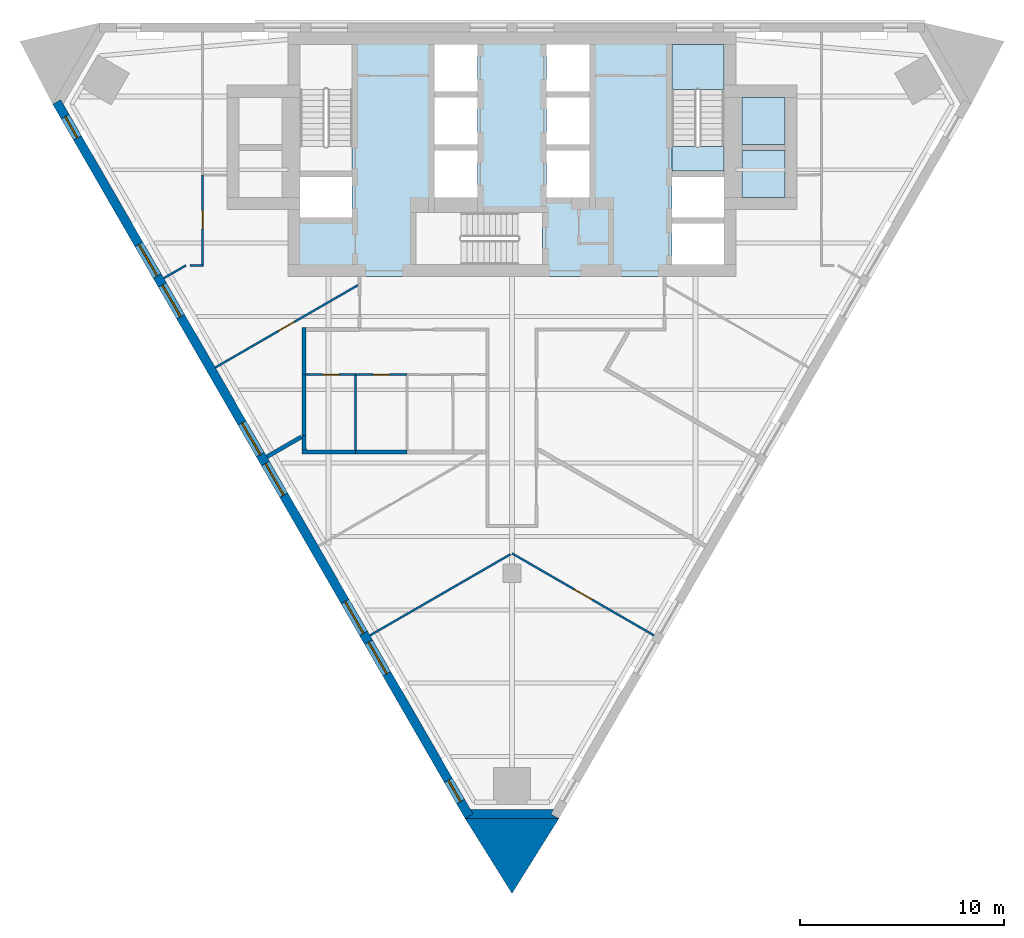
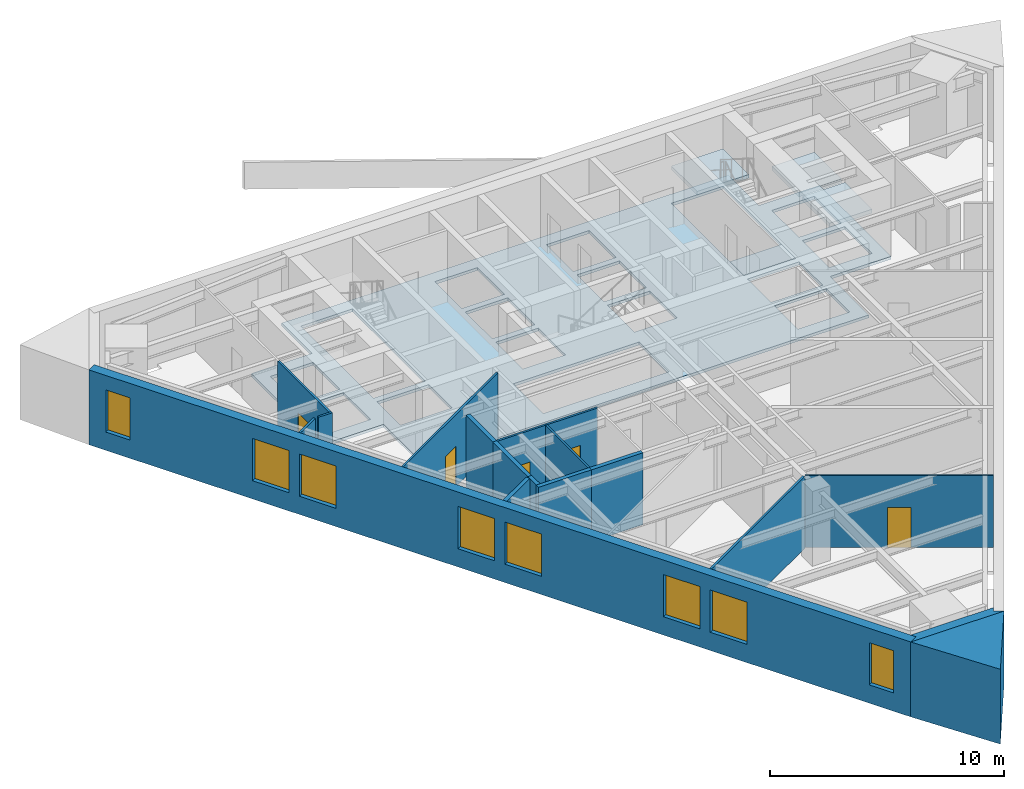
# One storey, part 2 of 7: 18 walls, 8 windows, 5 doors, 5 slabs, 13 openings, 1 element without a shape of its own.
"""IFC4 building model written with IfcOpenShell, lengths in metres."""

from ifc_helpers import new_model, si_unit, direction, frame, frame_2d, origin, place, context, subcontext, project, spatial, polyline, rectangle, outline, extrude, material, layer, layer_set, type_object, element, fill, aggregate, save


model = new_model("IFC4")

# Units and contexts
model_context = context("Model", 3, precision=1e-05, world=origin(), true_north=direction((0.0, 1.0)))
body_context = subcontext(model_context, "Body", "Model", "MODEL_VIEW")
ifc_project = project(units=[si_unit("LENGTHUNIT", "METRE"), si_unit("AREAUNIT", "SQUARE_METRE"), si_unit("VOLUMEUNIT", "CUBIC_METRE"), si_unit("PLANEANGLEUNIT", "RADIAN"), si_unit("MASSUNIT", "GRAM", prefix="KILO")], contexts=[model_context])

# Site, building, storey
site_placement = place(None, origin())
site = spatial("IfcSite", under=ifc_project, at=site_placement, CompositionType="ELEMENT")
building_placement = place(site_placement, origin())
building = spatial("IfcBuilding", under=site, at=building_placement, Name="Aloe Facet Convention Tower", CompositionType="ELEMENT")
storey_placement = place(building_placement, frame((0.0, 0.0, 132.5)))
storey = spatial("IfcBuildingStorey", under=building, at=storey_placement, Name="L33", CompositionType="ELEMENT", Elevation=132.5)

# Slabs
ifc_material_1 = material(Name="Concrete C60/75", Category="concrete")
ifc_layer_1 = layer(ifc_material_1, 0.14990234375)
ifc_layer_set_1 = layer_set([ifc_layer_1], Name="CR-S-FLOOR150-C6075")
slab_type_1 = type_object("IfcSlabType", Name="CR-S-FLOOR150-C6075", PredefinedType="FLOOR", material=ifc_layer_set_1)
slab_1_placement = place(storey_placement, frame((0.0, 0.0, -0.14990234375)))
element("IfcSlab", 1, at=slab_1_placement, inside=storey, type_object=slab_type_1, Name="Core floor L33", PredefinedType="FLOOR", context=body_context, shape_type="SweptSolid", body=[
    extrude(outline(polyline([(69.0, 134.550048828125), (71.85009765625, 134.550048828125), (72.75, 134.550048828125), (75.60009765625, 134.550048828125), (76.5, 134.550048828125), (78.0, 134.550048828125), (78.89990234375, 134.550048828125), (81.10009765625, 134.550048828125), (82.0, 134.550048828125), (83.5, 134.550048828125), (84.39990234375, 134.550048828125), (87.25, 134.550048828125), (88.14990234375, 134.550048828125), (91.0, 134.550048828125), (91.0, 131.949951171875), (94.0, 131.949951171875), (94.0, 129.35009765625), (94.0, 128.449951171875), (94.0, 125.85009765625), (91.0, 125.85009765625), (91.0, 125.75), (91.0, 124.85009765625), (91.0, 122.550048828125), (88.14990234375, 122.550048828125), (87.25, 122.550048828125), (85.300048828125, 122.550048828125), (84.39990234375, 122.550048828125), (82.10009765625, 122.550048828125), (81.199951171875, 122.550048828125), (75.60009765625, 122.550048828125), (74.699951171875, 122.550048828125), (72.75, 122.550048828125), (71.85009765625, 122.550048828125), (69.0, 122.550048828125), (69.0, 124.85009765625), (69.0, 125.75), (69.0, 125.85009765625), (66.0, 125.85009765625), (66.0, 128.449951171875), (66.0, 129.35009765625), (66.0, 131.949951171875), (69.0, 131.949951171875), (69.0, 134.550048828125)]), holes=[polyline([(75.300048828125, 123.14990234375), (80.298828125, 123.14990234375), (81.5, 123.14990234375), (81.5, 125.699951171875), (80.298828125, 125.699951171875), (75.300048828125, 125.699951171875), (75.300048828125, 123.14990234375)]), polyline([(69.60009765625, 125.449951171875), (72.14990234375, 125.449951171875), (72.14990234375, 127.449951171875), (69.60009765625, 127.449951171875), (69.60009765625, 125.449951171875)]), polyline([(66.60009765625, 126.449951171875), (68.699951171875, 126.449951171875), (68.699951171875, 128.75), (66.60009765625, 128.75), (66.60009765625, 126.449951171875)]), polyline([(76.199951171875, 126.449951171875), (78.300048828125, 126.449951171875), (78.300048828125, 128.75), (76.199951171875, 128.75), (76.199951171875, 126.449951171875)]), polyline([(66.60009765625, 129.050048828125), (68.699951171875, 129.050048828125), (68.699951171875, 131.35009765625), (66.60009765625, 131.35009765625), (66.60009765625, 129.050048828125)]), polyline([(76.199951171875, 129.050048828125), (78.300048828125, 129.050048828125), (78.300048828125, 131.35009765625), (76.199951171875, 131.35009765625), (76.199951171875, 129.050048828125)]), polyline([(69.60009765625, 133.949951171875), (69.60009765625, 128.951171875), (69.60009765625, 127.75), (72.14990234375, 127.75), (72.14990234375, 128.951171875), (72.14990234375, 133.949951171875), (69.60009765625, 133.949951171875)]), polyline([(76.199951171875, 131.64990234375), (78.300048828125, 131.64990234375), (78.300048828125, 133.949951171875), (76.199951171875, 133.949951171875), (76.199951171875, 131.64990234375)]), polyline([(87.85009765625, 123.14990234375), (90.39990234375, 123.14990234375), (90.39990234375, 125.14990234375), (87.85009765625, 125.14990234375), (87.85009765625, 123.14990234375)]), polyline([(87.85009765625, 125.449951171875), (90.39990234375, 125.449951171875), (90.39990234375, 127.449951171875), (87.85009765625, 127.449951171875), (87.85009765625, 125.449951171875)]), polyline([(81.699951171875, 126.449951171875), (83.800048828125, 126.449951171875), (83.800048828125, 128.75), (81.699951171875, 128.75), (81.699951171875, 126.449951171875)]), polyline([(91.300048828125, 126.449951171875), (93.39990234375, 126.449951171875), (93.39990234375, 128.75), (91.300048828125, 128.75), (91.300048828125, 126.449951171875)]), polyline([(81.699951171875, 129.050048828125), (83.800048828125, 129.050048828125), (83.800048828125, 131.35009765625), (81.699951171875, 131.35009765625), (81.699951171875, 129.050048828125)]), polyline([(91.300048828125, 129.050048828125), (93.39990234375, 129.050048828125), (93.39990234375, 131.35009765625), (91.300048828125, 131.35009765625), (91.300048828125, 129.050048828125)]), polyline([(87.85009765625, 133.949951171875), (87.85009765625, 128.951171875), (87.85009765625, 127.75), (90.39990234375, 127.75), (90.39990234375, 128.951171875), (90.39990234375, 133.949951171875), (87.85009765625, 133.949951171875)]), polyline([(81.699951171875, 131.64990234375), (83.800048828125, 131.64990234375), (83.800048828125, 133.949951171875), (81.699951171875, 133.949951171875), (81.699951171875, 131.64990234375)])]), origin(), (0.0, 0.0, 1.0), 0.14990234375),
])
ifc_material_2 = material(Name="Concrete C60/75", Category="concrete")
ifc_layer_2 = layer(ifc_material_2, 0.300048828125)
ifc_layer_set_2 = layer_set([ifc_layer_2], Name="CR-S-FLOOR300-C6075")
slab_type_2 = type_object("IfcSlabType", Name="CR-S-FLOOR300-C6075", PredefinedType="FLOOR", material=ifc_layer_set_2)
slab_2_placement = place(storey_placement, frame((0.0, 0.0, -0.300048828125)))
element("IfcSlab", 2, at=slab_2_placement, inside=storey, type_object=slab_type_2, Name="Stair landing floor L33", PredefinedType="FLOOR", context=body_context, shape_type="SweptSolid", body=[
    extrude(outline(polyline([(90.39990234375, 127.75), (90.39990234375, 128.951171875), (87.85009765625, 128.951171875), (87.85009765625, 127.75), (90.39990234375, 127.75)])), origin(), (0.0, 0.0, 1.0), 0.300048828125),
])
ifc_material_3 = material(Name="Concrete C60/75", Category="concrete")
ifc_layer_3 = layer(ifc_material_3, 0.199951171875)
ifc_layer_set_3 = layer_set([ifc_layer_3], Name="CR-S-LID200-C6075")
slab_type_3 = type_object("IfcSlabType", Name="CR-S-LID200-C6075", PredefinedType="ROOF", material=ifc_layer_set_3)
slab_3_placement = place(storey_placement, frame((0.0, 0.0, 2.10009765625)))
element("IfcSlab", 3, at=slab_3_placement, inside=storey, type_object=slab_type_3, Name="Lift shaft lid SH3", PredefinedType="ROOF", context=body_context, shape_type="SweptSolid", body=[
    extrude(outline(polyline([(93.401123046875, 131.351318359375), (93.401123046875, 129.048828125), (91.298828125, 129.048828125), (91.298828125, 131.351318359375), (93.401123046875, 131.351318359375)])), origin(), (0.0, 0.0, 1.0), 0.199951171875),
])
slab_4_placement = place(storey_placement, frame((0.0, 0.0, 2.10009765625)))
element("IfcSlab", 4, at=slab_4_placement, inside=storey, type_object=slab_type_3, Name="Lift shaft lid SH4", PredefinedType="ROOF", context=body_context, shape_type="SweptSolid", body=[
    extrude(outline(polyline([(93.401123046875, 128.751220703125), (93.401123046875, 126.44873046875), (91.298828125, 126.44873046875), (91.298828125, 128.751220703125), (93.401123046875, 128.751220703125)])), origin(), (0.0, 0.0, 1.0), 0.199951171875),
])

# Stair, slab
ifc_material_4 = material(Name="Concrete C50/60", Category="concrete")
stair_type = type_object("IfcStairType", Name="CR-ST-22R", PredefinedType="HALF_TURN_STAIR", material=ifc_material_4)
stair_placement = place(storey_placement, origin())
stair = element("IfcStair", 5, at=stair_placement, inside=storey, type_object=stair_type, Name="L33 Protected exit stair ST2", PredefinedType="HALF_TURN_STAIR")
ifc_material_5 = material(Name="Concrete C50/60", Category="concrete")
ifc_layer_4 = layer(ifc_material_5, 0.199951171875)
ifc_layer_set_4 = layer_set([ifc_layer_4], Name="CR-SL-LANDING")
slab_type_4 = type_object("IfcSlabType", Name="CR-SL-LANDING", PredefinedType="LANDING", material=ifc_layer_set_4)
slab_5_placement = place(storey_placement, frame((0.0, 0.0, 1.75)))
slab_5 = element("IfcSlab", 6, at=slab_5_placement, type_object=slab_type_4, Name="ST2 landing 1", PredefinedType="LANDING", context=body_context, shape_type="SweptSolid", body=[
    extrude(outline(polyline([(90.39990234375, 131.75), (90.39990234375, 133.949951171875), (87.85009765625, 133.949951171875), (87.85009765625, 131.75), (90.39990234375, 131.75)])), origin(), (0.0, 0.0, 1.0), 0.199951171875),
])
aggregate(stair, [slab_5])

# Walls
ifc_material_6 = material(Name="Precast concrete C40/50", Category="concrete")
ifc_layer_5 = layer(ifc_material_6, 0.449951171875)
ifc_layer_set_5 = layer_set([ifc_layer_5], Name="EV-WALL-PIER")
wall_type_1 = type_object("IfcWallType", Name="EV-WALL-PIER", PredefinedType="SOLIDWALL", material=ifc_layer_set_5)
wall_1_placement = place(storey_placement, frame((0.0, 0.0, -0.14990234375)))
element("IfcWall", 7, at=wall_1_placement, inside=storey, type_object=wall_type_1, Name="EP-L33-B", PredefinedType="SOLIDWALL", context=body_context, shape_type="SweptSolid", body=[
    extrude(outline(polyline([(77.699951171875, 95.954345703125), (78.089599609375, 96.17919921875), (77.959716796875, 96.404296875), (82.040283203125, 96.404296875), (81.910400390625, 96.17919921875), (82.300048828125, 95.954345703125), (77.699951171875, 95.954345703125)])), origin(), (0.0, 0.0, 1.0), 3.89990234375),
])
ifc_material_7 = material(Name="Precast concrete C40/50", Category="concrete")
ifc_layer_6 = layer(ifc_material_7, 3.947998046875)
ifc_layer_set_6 = layer_set([ifc_layer_6], Name="EV-WALL-SPINE")
wall_type_2 = type_object("IfcWallType", Name="EV-WALL-SPINE", PredefinedType="SOLIDWALL", material=ifc_layer_set_6)
wall_2_placement = place(storey_placement, frame((0.0, 0.0, -0.14990234375)))
element("IfcWall", 8, at=wall_2_placement, inside=storey, type_object=wall_type_2, Name="SP-S-L33", PredefinedType="SOLIDWALL", context=body_context, shape_type="SweptSolid", body=[
    extrude(outline(polyline([(77.699951171875, 95.954345703125), (80.0, 92.2783203125), (82.300048828125, 95.954345703125), (77.699951171875, 95.954345703125)])), origin(), (0.0, 0.0, 1.0), 3.89990234375),
])

# Wall, openings, windows
ifc_material_8 = material(Name="Precast concrete C40/50", Category="concrete")
ifc_layer_7 = layer(ifc_material_8, 0.449951171875)
ifc_layer_set_7 = layer_set([ifc_layer_7], Name="EV-WALL-STONE")
wall_type_3 = type_object("IfcWallType", Name="EV-WALL-STONE", PredefinedType="SOLIDWALL", material=ifc_layer_set_7)
wall_3_placement = place(storey_placement, frame((57.65185546875, 131.128662109375, -0.14990234375), z_axis=(0.0, 0.0, 1.0), x_axis=(0.499997369791, -0.866026922331, 0.0)))
wall_3 = element("IfcWall", 9, at=wall_3_placement, inside=storey, type_object=wall_type_3, Name="EW-L33-W01", PredefinedType="SOLIDWALL", context=body_context, shape_type="SweptSolid", body=[
    extrude(outline(polyline([(40.486083984375, 0.0), (40.486083984375, 3.89990234375), (0.0, 3.89990234375), (0.0, 0.0), (40.486083984375, 0.0)])), frame((0.0, 0.22509765625, 0.0), z_axis=(0.0, -1.0, 0.0), x_axis=(1.0, 0.0, 0.0)), (0.0, 0.0, 1.0), 0.449951171875),
])
opening_1_placement = place(wall_3_placement, frame((0.83740234375, 0.0, 0.949951171875)))
opening_1 = element("IfcOpeningElement", 10, at=opening_1_placement, cuts=wall_3, Name="Opening W-L33-W01", PredefinedType="OPENING", context=body_context, shape_type="SweptSolid", body=[
    extrude(rectangle(XDim=1.199951171875, YDim=2.199951171875, at=frame_2d((0.60009765625, 1.10009765625))), frame((0.0, 0.23486328125, 0.0), z_axis=(0.0, -1.0, 0.0), x_axis=(1.0, 0.0, 0.0)), (0.0, 0.0, 1.0), 0.469970703125),
])
opening_2_placement = place(wall_3_placement, frame((8.071533203125, 0.0, 0.949951171875)))
opening_2 = element("IfcOpeningElement", 11, at=opening_2_placement, cuts=wall_3, Name="Opening W-L33-W02", PredefinedType="OPENING", context=body_context, shape_type="SweptSolid", body=[
    extrude(rectangle(XDim=1.800048828125, YDim=2.199951171875, at=frame_2d((0.89990234375, 1.10009765625))), frame((0.0, 0.23486328125, 0.0), z_axis=(0.0, -1.0, 0.0), x_axis=(1.0, 0.0, 0.0)), (0.0, 0.0, 1.0), 0.469970703125),
])
opening_3_placement = place(wall_3_placement, frame((10.37158203125, 0.0, 0.949951171875)))
opening_3 = element("IfcOpeningElement", 12, at=opening_3_placement, cuts=wall_3, Name="Opening W-L33-W03", PredefinedType="OPENING", context=body_context, shape_type="SweptSolid", body=[
    extrude(rectangle(XDim=1.800048828125, YDim=2.199951171875, at=frame_2d((0.89990234375, 1.10009765625))), frame((0.0, 0.23486328125, 0.0), z_axis=(0.0, -1.0, 0.0), x_axis=(1.0, 0.0, 0.0)), (0.0, 0.0, 1.0), 0.469970703125),
])
opening_4_placement = place(wall_3_placement, frame((18.193115234375, 0.0, 0.949951171875)))
opening_4 = element("IfcOpeningElement", 13, at=opening_4_placement, cuts=wall_3, Name="Opening W-L33-W04", PredefinedType="OPENING", context=body_context, shape_type="SweptSolid", body=[
    extrude(rectangle(XDim=1.800048828125, YDim=2.199951171875, at=frame_2d((0.89990234375, 1.10009765625))), frame((0.0, 0.23486328125, 0.0), z_axis=(0.0, -1.0, 0.0), x_axis=(1.0, 0.0, 0.0)), (0.0, 0.0, 1.0), 0.469970703125),
])
opening_5_placement = place(wall_3_placement, frame((20.4931640625, 0.0, 0.949951171875)))
opening_5 = element("IfcOpeningElement", 14, at=opening_5_placement, cuts=wall_3, Name="Opening W-L33-W05", PredefinedType="OPENING", context=body_context, shape_type="SweptSolid", body=[
    extrude(rectangle(XDim=1.800048828125, YDim=2.199951171875, at=frame_2d((0.89990234375, 1.10009765625))), frame((0.0, 0.23486328125, 0.0), z_axis=(0.0, -1.0, 0.0), x_axis=(1.0, 0.0, 0.0)), (0.0, 0.0, 1.0), 0.469970703125),
])
opening_6_placement = place(wall_3_placement, frame((28.314697265625, 0.0, 0.949951171875)))
opening_6 = element("IfcOpeningElement", 15, at=opening_6_placement, cuts=wall_3, Name="Opening W-L33-W06", PredefinedType="OPENING", context=body_context, shape_type="SweptSolid", body=[
    extrude(rectangle(XDim=1.800048828125, YDim=2.199951171875, at=frame_2d((0.89990234375, 1.10009765625))), frame((0.0, 0.23486328125, 0.0), z_axis=(0.0, -1.0, 0.0), x_axis=(1.0, 0.0, 0.0)), (0.0, 0.0, 1.0), 0.469970703125),
])
opening_7_placement = place(wall_3_placement, frame((30.614501953125, 0.0, 0.949951171875)))
opening_7 = element("IfcOpeningElement", 16, at=opening_7_placement, cuts=wall_3, Name="Opening W-L33-W07", PredefinedType="OPENING", context=body_context, shape_type="SweptSolid", body=[
    extrude(rectangle(XDim=1.800048828125, YDim=2.199951171875, at=frame_2d((0.89990234375, 1.10009765625))), frame((0.0, 0.23486328125, 0.0), z_axis=(0.0, -1.0, 0.0), x_axis=(1.0, 0.0, 0.0)), (0.0, 0.0, 1.0), 0.469970703125),
])
opening_8_placement = place(wall_3_placement, frame((38.44873046875, 0.0, 0.949951171875)))
opening_8 = element("IfcOpeningElement", 17, at=opening_8_placement, cuts=wall_3, Name="Opening W-L33-W08", PredefinedType="OPENING", context=body_context, shape_type="SweptSolid", body=[
    extrude(rectangle(XDim=1.199951171875, YDim=2.199951171875, at=frame_2d((0.60009765625, 1.10009765625))), frame((0.0, 0.23486328125, 0.0), z_axis=(0.0, -1.0, 0.0), x_axis=(1.0, 0.0, 0.0)), (0.0, 0.0, 1.0), 0.469970703125),
])
ifc_material_9 = material(Name="Aluminium frame, clear double glazing", Category="aluminium")
window_type_1 = type_object("IfcWindowType", Name="EV-WIN-O12", PartitioningType="SINGLE_PANEL", PredefinedType="WINDOW", material=ifc_material_9)
window_1_placement = place(opening_1_placement, origin())
window_1 = element("IfcWindow", 18, at=window_1_placement, inside=storey, type_object=window_type_1, Name="W-L33-W01", OverallHeight=2.199951171875, OverallWidth=1.199951171875, PartitioningType="SINGLE_PANEL", PredefinedType="WINDOW", context=body_context, shape_type="SweptSolid", body=[
    extrude(rectangle(XDim=1.199951171875, YDim=2.199951171875, at=frame_2d((0.60009765625, 1.10009765625))), frame((0.0, 0.030029296875, 0.0), z_axis=(0.0, -1.0, 0.0), x_axis=(1.0, 0.0, 0.0)), (0.0, 0.0, 1.0), 0.06005859375),
])
fill(opening_1, window_1)
window_2_placement = place(opening_8_placement, origin())
window_2 = element("IfcWindow", 19, at=window_2_placement, inside=storey, type_object=window_type_1, Name="W-L33-W08", OverallHeight=2.199951171875, OverallWidth=1.199951171875, PartitioningType="SINGLE_PANEL", PredefinedType="WINDOW", context=body_context, shape_type="SweptSolid", body=[
    extrude(rectangle(XDim=1.199951171875, YDim=2.199951171875, at=frame_2d((0.60009765625, 1.10009765625))), frame((0.0, 0.030029296875, 0.0), z_axis=(0.0, -1.0, 0.0), x_axis=(1.0, 0.0, 0.0)), (0.0, 0.0, 1.0), 0.06005859375),
])
fill(opening_8, window_2)
ifc_material_10 = material(Name="Aluminium frame, clear double glazing", Category="aluminium")
window_type_2 = type_object("IfcWindowType", Name="EV-WIN-O18", PartitioningType="SINGLE_PANEL", PredefinedType="WINDOW", material=ifc_material_10)
window_3_placement = place(opening_2_placement, origin())
window_3 = element("IfcWindow", 20, at=window_3_placement, inside=storey, type_object=window_type_2, Name="W-L33-W02", OverallHeight=2.199951171875, OverallWidth=1.800048828125, PartitioningType="SINGLE_PANEL", PredefinedType="WINDOW", context=body_context, shape_type="SweptSolid", body=[
    extrude(rectangle(XDim=1.800048828125, YDim=2.199951171875, at=frame_2d((0.89990234375, 1.10009765625))), frame((0.0, 0.030029296875, 0.0), z_axis=(0.0, -1.0, 0.0), x_axis=(1.0, 0.0, 0.0)), (0.0, 0.0, 1.0), 0.06005859375),
])
fill(opening_2, window_3)
window_4_placement = place(opening_3_placement, origin())
window_4 = element("IfcWindow", 21, at=window_4_placement, inside=storey, type_object=window_type_2, Name="W-L33-W03", OverallHeight=2.199951171875, OverallWidth=1.800048828125, PartitioningType="SINGLE_PANEL", PredefinedType="WINDOW", context=body_context, shape_type="SweptSolid", body=[
    extrude(rectangle(XDim=1.800048828125, YDim=2.199951171875, at=frame_2d((0.89990234375, 1.10009765625))), frame((0.0, 0.030029296875, 0.0), z_axis=(0.0, -1.0, 0.0), x_axis=(1.0, 0.0, 0.0)), (0.0, 0.0, 1.0), 0.06005859375),
])
fill(opening_3, window_4)
window_5_placement = place(opening_4_placement, origin())
window_5 = element("IfcWindow", 22, at=window_5_placement, inside=storey, type_object=window_type_2, Name="W-L33-W04", OverallHeight=2.199951171875, OverallWidth=1.800048828125, PartitioningType="SINGLE_PANEL", PredefinedType="WINDOW", context=body_context, shape_type="SweptSolid", body=[
    extrude(rectangle(XDim=1.800048828125, YDim=2.199951171875, at=frame_2d((0.89990234375, 1.10009765625))), frame((0.0, 0.030029296875, 0.0), z_axis=(0.0, -1.0, 0.0), x_axis=(1.0, 0.0, 0.0)), (0.0, 0.0, 1.0), 0.06005859375),
])
fill(opening_4, window_5)
window_6_placement = place(opening_5_placement, origin())
window_6 = element("IfcWindow", 23, at=window_6_placement, inside=storey, type_object=window_type_2, Name="W-L33-W05", OverallHeight=2.199951171875, OverallWidth=1.800048828125, PartitioningType="SINGLE_PANEL", PredefinedType="WINDOW", context=body_context, shape_type="SweptSolid", body=[
    extrude(rectangle(XDim=1.800048828125, YDim=2.199951171875, at=frame_2d((0.89990234375, 1.10009765625))), frame((0.0, 0.030029296875, 0.0), z_axis=(0.0, -1.0, 0.0), x_axis=(1.0, 0.0, 0.0)), (0.0, 0.0, 1.0), 0.06005859375),
])
fill(opening_5, window_6)
window_7_placement = place(opening_6_placement, origin())
window_7 = element("IfcWindow", 24, at=window_7_placement, inside=storey, type_object=window_type_2, Name="W-L33-W06", OverallHeight=2.199951171875, OverallWidth=1.800048828125, PartitioningType="SINGLE_PANEL", PredefinedType="WINDOW", context=body_context, shape_type="SweptSolid", body=[
    extrude(rectangle(XDim=1.800048828125, YDim=2.199951171875, at=frame_2d((0.89990234375, 1.10009765625))), frame((0.0, 0.030029296875, 0.0), z_axis=(0.0, -1.0, 0.0), x_axis=(1.0, 0.0, 0.0)), (0.0, 0.0, 1.0), 0.06005859375),
])
fill(opening_6, window_7)
window_8_placement = place(opening_7_placement, origin())
window_8 = element("IfcWindow", 25, at=window_8_placement, inside=storey, type_object=window_type_2, Name="W-L33-W07", OverallHeight=2.199951171875, OverallWidth=1.800048828125, PartitioningType="SINGLE_PANEL", PredefinedType="WINDOW", context=body_context, shape_type="SweptSolid", body=[
    extrude(rectangle(XDim=1.800048828125, YDim=2.199951171875, at=frame_2d((0.89990234375, 1.10009765625))), frame((0.0, 0.030029296875, 0.0), z_axis=(0.0, -1.0, 0.0), x_axis=(1.0, 0.0, 0.0)), (0.0, 0.0, 1.0), 0.06005859375),
])
fill(opening_7, window_8)

# Wall, opening, door
ifc_material_11 = material(Name="Gypsum board partition on steel studs", Category="steel")
ifc_layer_8 = layer(ifc_material_11, 0.10009765625)
ifc_layer_set_8 = layer_set([ifc_layer_8], Name="IN-W-PART")
wall_type_4 = type_object("IfcWallType", Name="IN-W-PART", PredefinedType="PARTITIONING", material=ifc_layer_set_8)
wall_4_placement = place(storey_placement, frame((80.0, 108.969482421875, 0.0), z_axis=(0.0, 0.0, 1.0), x_axis=(0.86602648383, -0.499998129301, 0.0)))
wall_4 = element("IfcWall", 26, at=wall_4_placement, inside=storey, type_object=wall_type_4, Name="Partition L33-W001", PredefinedType="PARTITIONING", context=body_context, shape_type="SweptSolid", body=[
    extrude(rectangle(XDim=8.04931640625, YDim=0.10009765625, at=frame_2d((4.024658203125, 0.0))), origin(), (0.0, 0.0, 1.0), 3.75),
])
opening_9_placement = place(wall_4_placement, frame((3.524658203125, 0.0, 0.0)))
opening_9 = element("IfcOpeningElement", 27, at=opening_9_placement, cuts=wall_4, Name="Opening L33-016", PredefinedType="OPENING", context=body_context, shape_type="SweptSolid", body=[
    extrude(rectangle(XDim=1.0, YDim=2.10009765625, at=frame_2d((0.5, 1.050048828125))), frame((0.0, 0.06005859375, 0.0), z_axis=(0.0, -1.0, 0.0), x_axis=(1.0, 0.0, 0.0)), (0.0, 0.0, 1.0), 0.1201171875),
])
ifc_material_12 = material(Name="Timber door", Category="wood")
door_type_1 = type_object("IfcDoorType", Name="IN-OFF-D-WIDE", OperationType="SINGLE_SWING_LEFT", PredefinedType="DOOR", material=ifc_material_12)
door_1_placement = place(opening_9_placement, origin())
door_1 = element("IfcDoor", 28, at=door_1_placement, inside=storey, type_object=door_type_1, Name="Door L33-016", OperationType="SINGLE_SWING_LEFT", OverallHeight=2.10009765625, OverallWidth=1.0, PredefinedType="DOOR", context=body_context, shape_type="SweptSolid", body=[
    extrude(rectangle(XDim=1.0, YDim=2.10009765625, at=frame_2d((0.5, 1.050048828125))), frame((0.0, 0.02490234375, 0.0), z_axis=(0.0, -1.0, 0.0), x_axis=(1.0, 0.0, 0.0)), (0.0, 0.0, 1.0), 0.050048828125),
])
fill(opening_9, door_1)

# Walls
wall_5_placement = place(storey_placement, frame((73.029052734375, 104.94482421875, 0.0), z_axis=(0.0, 0.0, 1.0), x_axis=(0.866023222546, 0.500003777996, 0.0)))
element("IfcWall", 29, at=wall_5_placement, inside=storey, type_object=wall_type_4, Name="Partition L33-W002", PredefinedType="PARTITIONING", context=body_context, shape_type="SweptSolid", body=[
    extrude(rectangle(XDim=7.962890625, YDim=0.10009765625, at=frame_2d((3.9814453125, 0.0))), origin(), (0.0, 0.0, 1.0), 3.75),
])
wall_6_placement = place(storey_placement, frame((72.310302734375, 114.050048828125, 0.0), z_axis=(0.0, 0.0, 1.0), x_axis=(0.002608686776, 0.999996597371, 0.0)))
element("IfcWall", 30, at=wall_6_placement, inside=storey, type_object=wall_type_4, Name="Partition L33-W018", PredefinedType="PARTITIONING", context=body_context, shape_type="SweptSolid", body=[
    extrude(rectangle(XDim=3.64990234375, YDim=0.10009765625, at=frame_2d((1.824951171875, 0.0))), origin(), (0.0, 0.0, 1.0), 3.75),
])

# Wall, opening, door
wall_7_placement = place(storey_placement, frame((69.89990234375, 117.75, 0.0), z_axis=(0.0, 0.0, 1.0), x_axis=(1.0, 0.0, 0.0)))
wall_7 = element("IfcWall", 31, at=wall_7_placement, inside=storey, type_object=wall_type_4, Name="Partition L33-W019", PredefinedType="PARTITIONING", context=body_context, shape_type="SweptSolid", body=[
    extrude(rectangle(XDim=2.420166015625, YDim=0.10009765625, at=frame_2d((1.2099609375, 0.0))), origin(), (0.0, 0.0, 1.0), 3.75),
])
opening_10_placement = place(wall_7_placement, frame((0.81005859375, 0.0, 0.0)))
opening_10 = element("IfcOpeningElement", 32, at=opening_10_placement, cuts=wall_7, Name="Opening L33-002", PredefinedType="OPENING", context=body_context, shape_type="SweptSolid", body=[
    extrude(rectangle(XDim=0.800048828125, YDim=2.10009765625, at=frame_2d((0.39990234375, 1.050048828125))), frame((0.0, 0.06005859375, 0.0), z_axis=(0.0, -1.0, 0.0), x_axis=(1.0, 0.0, 0.0)), (0.0, 0.0, 1.0), 0.1201171875),
])
ifc_material_13 = material(Name="Timber door", Category="wood")
door_type_2 = type_object("IfcDoorType", Name="IN-OFF-D-WC", OperationType="SINGLE_SWING_LEFT", PredefinedType="DOOR", material=ifc_material_13)
door_2_placement = place(opening_10_placement, origin())
door_2 = element("IfcDoor", 33, at=door_2_placement, inside=storey, type_object=door_type_2, Name="Door L33-002", OperationType="SINGLE_SWING_LEFT", OverallHeight=2.10009765625, OverallWidth=0.800048828125, PredefinedType="DOOR", context=body_context, shape_type="SweptSolid", body=[
    extrude(rectangle(XDim=0.800048828125, YDim=2.10009765625, at=frame_2d((0.39990234375, 1.050048828125))), frame((0.0, 0.02490234375, 0.0), z_axis=(0.0, -1.0, 0.0), x_axis=(1.0, 0.0, 0.0)), (0.0, 0.0, 1.0), 0.050048828125),
])
fill(opening_10, door_2)

wall_8_placement = place(storey_placement, frame((72.320068359375, 117.75, 0.0), z_axis=(0.0, 0.0, 1.0), x_axis=(1.0, 0.0, 0.0)))
wall_8 = element("IfcWall", 34, at=wall_8_placement, inside=storey, type_object=wall_type_4, Name="Partition L33-W021", PredefinedType="PARTITIONING", context=body_context, shape_type="SweptSolid", body=[
    extrude(rectangle(XDim=2.52001953125, YDim=0.10009765625, at=frame_2d((1.260009765625, 0.0))), origin(), (0.0, 0.0, 1.0), 3.75),
])
opening_11_placement = place(wall_8_placement, frame((0.860107421875, 0.0, 0.0)))
opening_11 = element("IfcOpeningElement", 35, at=opening_11_placement, cuts=wall_8, Name="Opening L33-003", PredefinedType="OPENING", context=body_context, shape_type="SweptSolid", body=[
    extrude(rectangle(XDim=0.800048828125, YDim=2.10009765625, at=frame_2d((0.39990234375, 1.050048828125))), frame((0.0, 0.06005859375, 0.0), z_axis=(0.0, -1.0, 0.0), x_axis=(1.0, 0.0, 0.0)), (0.0, 0.0, 1.0), 0.1201171875),
])
door_3_placement = place(opening_11_placement, origin())
door_3 = element("IfcDoor", 36, at=door_3_placement, inside=storey, type_object=door_type_2, Name="Door L33-003", OperationType="SINGLE_SWING_LEFT", OverallHeight=2.10009765625, OverallWidth=0.800048828125, PredefinedType="DOOR", context=body_context, shape_type="SweptSolid", body=[
    extrude(rectangle(XDim=0.800048828125, YDim=2.10009765625, at=frame_2d((0.39990234375, 1.050048828125))), frame((0.0, 0.02490234375, 0.0), z_axis=(0.0, -1.0, 0.0), x_axis=(1.0, 0.0, 0.0)), (0.0, 0.0, 1.0), 0.050048828125),
])
fill(opening_11, door_3)

wall_9_placement = place(storey_placement, frame((65.437744140625, 118.093017578125, 0.0), z_axis=(0.0, 0.0, 1.0), x_axis=(0.866029768103, 0.499992440702, 0.0)))
wall_9 = element("IfcWall", 37, at=wall_9_placement, inside=storey, type_object=wall_type_4, Name="Partition L33-W027", PredefinedType="PARTITIONING", context=body_context, shape_type="SweptSolid", body=[
    extrude(rectangle(XDim=8.088623046875, YDim=0.10009765625, at=frame_2d((4.04443359375, 0.0))), origin(), (0.0, 0.0, 1.0), 3.75),
])
opening_12_placement = place(wall_9_placement, frame((3.59423828125, 0.0, 0.0)))
opening_12 = element("IfcOpeningElement", 38, at=opening_12_placement, cuts=wall_9, Name="Opening L33-008", PredefinedType="OPENING", context=body_context, shape_type="SweptSolid", body=[
    extrude(rectangle(XDim=0.89990234375, YDim=2.10009765625, at=frame_2d((0.449951171875, 1.050048828125))), frame((0.0, 0.06005859375, 0.0), z_axis=(0.0, -1.0, 0.0), x_axis=(1.0, 0.0, 0.0)), (0.0, 0.0, 1.0), 0.1201171875),
])
ifc_material_14 = material(Name="Timber door", Category="wood")
door_type_3 = type_object("IfcDoorType", Name="IN-OFF-D-ROOM", OperationType="SINGLE_SWING_LEFT", PredefinedType="DOOR", material=ifc_material_14)
door_4_placement = place(opening_12_placement, origin())
door_4 = element("IfcDoor", 39, at=door_4_placement, inside=storey, type_object=door_type_3, Name="Door L33-008", OperationType="SINGLE_SWING_LEFT", OverallHeight=2.10009765625, OverallWidth=0.89990234375, PredefinedType="DOOR", context=body_context, shape_type="SweptSolid", body=[
    extrude(rectangle(XDim=0.89990234375, YDim=2.10009765625, at=frame_2d((0.449951171875, 1.050048828125))), frame((0.0, 0.02490234375, 0.0), z_axis=(0.0, -1.0, 0.0), x_axis=(1.0, 0.0, 0.0)), (0.0, 0.0, 1.0), 0.050048828125),
])
fill(opening_12, door_4)

# Walls
wall_10_placement = place(storey_placement, frame((62.907470703125, 122.475830078125, 0.0), z_axis=(0.0, 0.0, 1.0), x_axis=(0.86607923909, 0.499906742921, 0.0)))
element("IfcWall", 40, at=wall_10_placement, inside=storey, type_object=wall_type_4, Name="Partition L33-W040", PredefinedType="PARTITIONING", context=body_context, shape_type="SweptSolid", body=[
    extrude(rectangle(XDim=1.261474609375, YDim=0.10009765625, at=frame_2d((0.630859375, 0.0))), origin(), (0.0, 0.0, 1.0), 3.75),
])
wall_11_placement = place(storey_placement, frame((64.1865234375, 123.1064453125, 0.0), z_axis=(0.0, 0.0, 1.0), x_axis=(0.999999934552, 0.000361794477, 0.0)))
element("IfcWall", 41, at=wall_11_placement, inside=storey, type_object=wall_type_4, Name="Partition L33-W041", PredefinedType="PARTITIONING", context=body_context, shape_type="SweptSolid", body=[
    extrude(rectangle(XDim=0.6748046875, YDim=0.10009765625, at=frame_2d((0.33740234375, 0.0))), origin(), (0.0, 0.0, 1.0), 3.75),
])

# Wall, opening, door
wall_12_placement = place(storey_placement, frame((64.811279296875, 123.156494140625, 0.0), z_axis=(0.0, 0.0, 1.0), x_axis=(0.0, 1.0, 0.0)))
wall_12 = element("IfcWall", 42, at=wall_12_placement, inside=storey, type_object=wall_type_4, Name="Partition L33-W047", PredefinedType="PARTITIONING", context=body_context, shape_type="SweptSolid", body=[
    extrude(rectangle(XDim=4.390625, YDim=0.10009765625, at=frame_2d((2.1953125, 0.0))), origin(), (0.0, 0.0, 1.0), 3.75),
])
opening_13_placement = place(wall_12_placement, frame((1.7451171875, 0.0, 0.0)))
opening_13 = element("IfcOpeningElement", 43, at=opening_13_placement, cuts=wall_12, Name="Opening L33-014", PredefinedType="OPENING", context=body_context, shape_type="SweptSolid", body=[
    extrude(rectangle(XDim=0.89990234375, YDim=2.10009765625, at=frame_2d((0.449951171875, 1.050048828125))), frame((0.0, 0.06005859375, 0.0), z_axis=(0.0, -1.0, 0.0), x_axis=(1.0, 0.0, 0.0)), (0.0, 0.0, 1.0), 0.1201171875),
])
door_5_placement = place(opening_13_placement, origin())
door_5 = element("IfcDoor", 44, at=door_5_placement, inside=storey, type_object=door_type_3, Name="Door L33-014", OperationType="SINGLE_SWING_LEFT", OverallHeight=2.10009765625, OverallWidth=0.89990234375, PredefinedType="DOOR", context=body_context, shape_type="SweptSolid", body=[
    extrude(rectangle(XDim=0.89990234375, YDim=2.10009765625, at=frame_2d((0.449951171875, 1.050048828125))), frame((0.0, 0.02490234375, 0.0), z_axis=(0.0, -1.0, 0.0), x_axis=(1.0, 0.0, 0.0)), (0.0, 0.0, 1.0), 0.050048828125),
])
fill(opening_13, door_5)

# Walls
ifc_material_15 = material(Name="Gypsum board partition on steel studs", Category="steel")
ifc_layer_9 = layer(ifc_material_15, 0.199951171875)
ifc_layer_set_9 = layer_set([ifc_layer_9], Name="IN-W-PARTY")
wall_type_5 = type_object("IfcWallType", Name="IN-W-PARTY", PredefinedType="PARTITIONING", material=ifc_layer_set_9)
wall_13_placement = place(storey_placement, frame((67.96826171875, 113.710205078125, 0.0), z_axis=(0.0, 0.0, 1.0), x_axis=(0.866009734793, 0.500027138508, 0.0)))
element("IfcWall", 45, at=wall_13_placement, inside=storey, type_object=wall_type_5, Name="Partition L33-W006", PredefinedType="PARTITIONING", context=body_context, shape_type="SweptSolid", body=[
    extrude(rectangle(XDim=1.96533203125, YDim=0.199951171875, at=frame_2d((0.982666015625, 0.0))), origin(), (0.0, 0.0, 1.0), 3.75),
])
wall_14_placement = place(storey_placement, frame((69.701904296875, 113.949951171875, 0.0), z_axis=(0.0, 0.0, 1.0), x_axis=(1.0, 0.0, 0.0)))
element("IfcWall", 46, at=wall_14_placement, inside=storey, type_object=wall_type_5, Name="Partition L33-W008", PredefinedType="PARTITIONING", context=body_context, shape_type="SweptSolid", body=[
    extrude(rectangle(XDim=2.608154296875, YDim=0.199951171875, at=frame_2d((1.30419921875, 0.0))), origin(), (0.0, 0.0, 1.0), 3.75),
])
wall_15_placement = place(storey_placement, frame((72.31005859375, 113.949951171875, 0.0), z_axis=(0.0, 0.0, 1.0), x_axis=(1.0, 0.0, 0.0)))
element("IfcWall", 47, at=wall_15_placement, inside=storey, type_object=wall_type_5, Name="Partition L33-W009", PredefinedType="PARTITIONING", context=body_context, shape_type="SweptSolid", body=[
    extrude(rectangle(XDim=2.5400390625, YDim=0.199951171875, at=frame_2d((1.27001953125, 0.0))), origin(), (0.0, 0.0, 1.0), 3.75),
])
wall_16_placement = place(storey_placement, frame((69.8017578125, 114.050048828125, 0.0), z_axis=(0.0, 0.0, 1.0), x_axis=(-0.002380945632, 0.999997165545, 0.0)))
element("IfcWall", 48, at=wall_16_placement, inside=storey, type_object=wall_type_5, Name="Partition L33-W016", PredefinedType="PARTITIONING", context=body_context, shape_type="SweptSolid", body=[
    extrude(rectangle(XDim=0.7177734375, YDim=0.199951171875, at=frame_2d((0.35888671875, 0.0))), origin(), (0.0, 0.0, 1.0), 3.75),
])
wall_17_placement = place(storey_placement, frame((69.800048828125, 114.767822265625, 0.0), z_axis=(0.0, 0.0, 1.0), x_axis=(0.0, 1.0, 0.0)))
element("IfcWall", 49, at=wall_17_placement, inside=storey, type_object=wall_type_5, Name="Partition L33-W025", PredefinedType="PARTITIONING", context=body_context, shape_type="SweptSolid", body=[
    extrude(rectangle(XDim=2.982177734375, YDim=0.199951171875, at=frame_2d((1.4912109375, 0.0))), origin(), (0.0, 0.0, 1.0), 3.75),
])
wall_18_placement = place(storey_placement, frame((69.800048828125, 117.75, 0.0), z_axis=(0.0, 0.0, 1.0), x_axis=(0.0, 1.0, 0.0)))
element("IfcWall", 50, at=wall_18_placement, inside=storey, type_object=wall_type_5, Name="Partition L33-W029", PredefinedType="PARTITIONING", context=body_context, shape_type="SweptSolid", body=[
    extrude(rectangle(XDim=2.300048828125, YDim=0.199951171875, at=frame_2d((1.14990234375, 0.0))), origin(), (0.0, 0.0, 1.0), 3.75),
])

save(model, "model.ifc")
